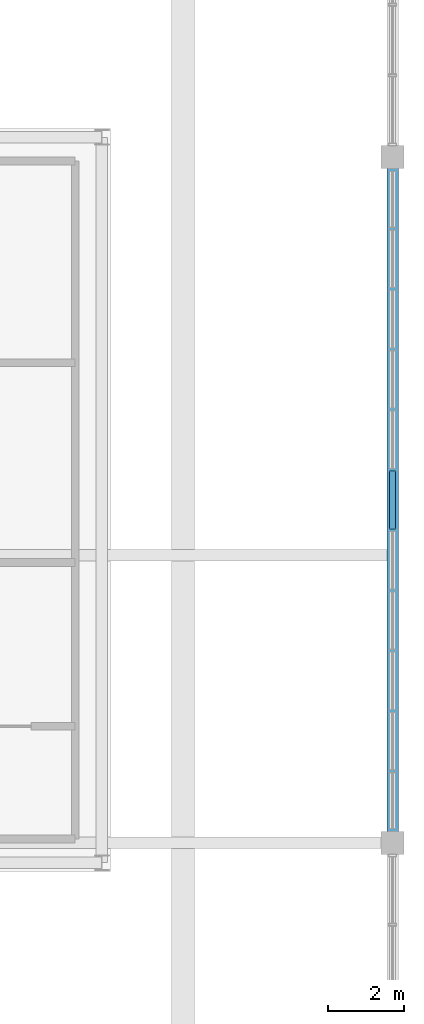
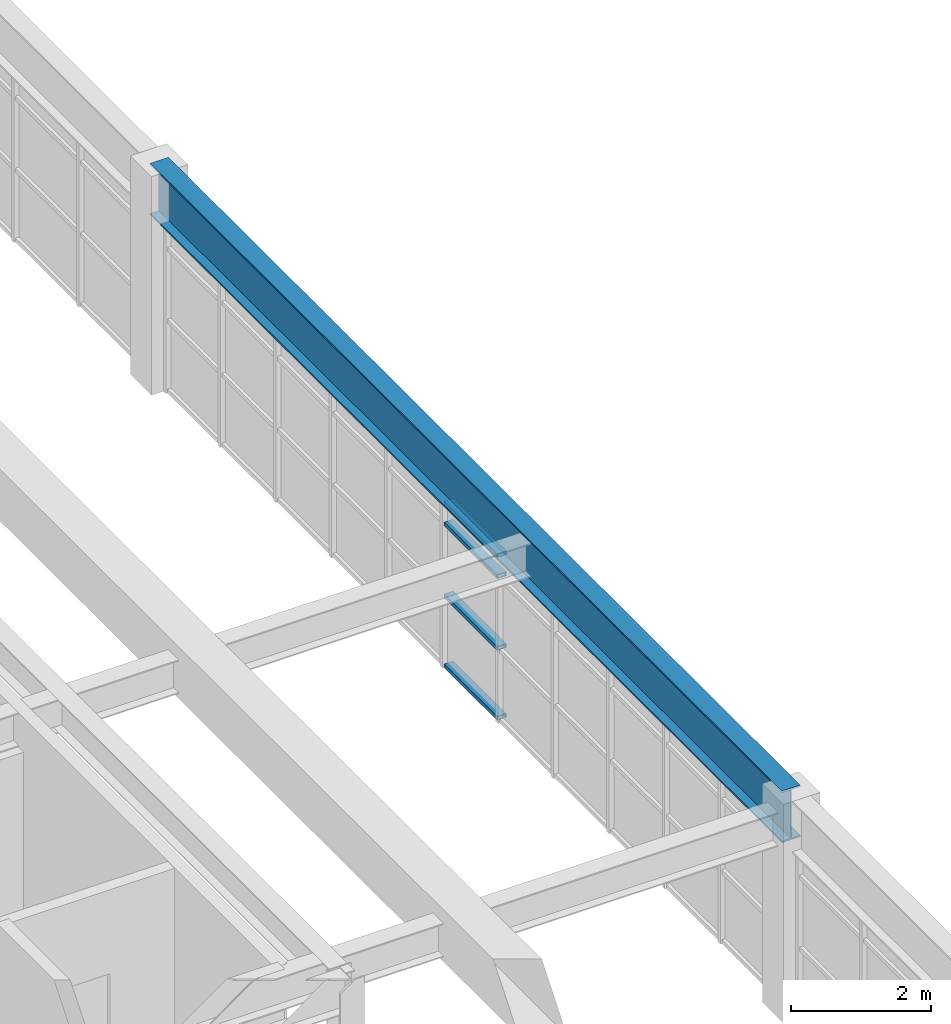
# One storey, part 16 of 28: 4 members, 1 beam, 1 element without a shape of its own.
"""IFC4 building model written with IfcOpenShell, lengths in metres."""

import ifcopenshell
import ifcopenshell.guid

model = None  # the IFC model being written
_history = None  # IfcOwnerHistory: only IFC2X3 demands one
_inside = {}  # id of a spatial element -> (the spatial element, [elements in it])
_under = {}  # id of a project, library or spatial element -> (it, [spatial elements below it])
_declared = {}  # id of a project -> (the project, [libraries it declares])
_typed = {}  # id of a type object -> (the type object, [elements of that type])
_made_of = {}  # id of a material, layer set ... -> (it, [elements and type objects made of it])


def new_model(schema):
    """Start an empty IFC model of exactly this schema.

    Asked for "IFC4X3", IfcOpenShell would pick the latest addendum, in which some entities
    have other attributes; the version numbers below select the first issue.
    IFC2X3 requires an IfcOwnerHistory on every rooted entity: one is made here for all.
    """
    global model, _history
    if schema == "IFC4X3":
        model = ifcopenshell.file(schema_version=(4, 3, 0, 0))
    else:
        model = ifcopenshell.file(schema=schema)
    _inside.clear()
    _under.clear()
    _declared.clear()
    _typed.clear()
    _made_of.clear()
    _history = None
    if model.schema == "IFC2X3":
        org = make("IfcOrganization", Name="unknown")
        user = make(
            "IfcPersonAndOrganization",
            ThePerson=make("IfcPerson", FamilyName="unknown"),
            TheOrganization=org,
        )
        app = make(
            "IfcApplication",
            ApplicationDeveloper=org,
            Version="unknown",
            ApplicationFullName="unknown",
            ApplicationIdentifier="unknown",
        )
        _history = make(
            "IfcOwnerHistory",
            OwningUser=user,
            OwningApplication=app,
            ChangeAction="ADDED",
            CreationDate=0,
        )
    return model


def make(cls, **values):
    """One entity of the class cls with the attributes given. An attribute that is None is left unset."""
    return model.create_entity(
        cls, **{name: value for name, value in values.items() if value is not None}
    )


def rooted(cls, **values):
    """An entity with a GlobalId (a new one), such as an element, a storey or a relation."""
    return make(cls, GlobalId=ifcopenshell.guid.new(), OwnerHistory=_history, **values)


def si_unit(unit_type, name, prefix=None):
    """IfcSIUnit, for example si_unit("LENGTHUNIT", "METRE", prefix="MILLI")."""
    return make("IfcSIUnit", UnitType=unit_type, Prefix=prefix, Name=name)


def assignment(units):
    """IfcUnitAssignment: the units of a project."""
    return None if units is None else make("IfcUnitAssignment", Units=units)


def point(xyz):
    """IfcCartesianPoint."""
    return None if xyz is None else make("IfcCartesianPoint", Coordinates=xyz)


def direction(xyz):
    """IfcDirection."""
    return None if xyz is None else make("IfcDirection", DirectionRatios=xyz)


def frame(location, z_axis=None, x_axis=None):
    """IfcAxis2Placement3D, a coordinate frame: its origin and axes. An axis left out is left unset."""
    return make(
        "IfcAxis2Placement3D",
        Location=point(location),
        Axis=direction(z_axis),
        RefDirection=direction(x_axis),
    )


def frame_2d(location, x_axis=None):
    """IfcAxis2Placement2D, a coordinate frame in the plane: its origin and x axis."""
    return make(
        "IfcAxis2Placement2D", Location=point(location), RefDirection=direction(x_axis)
    )


def origin():
    """The frame at (0, 0, 0) with its axes left unset."""
    return frame((0.0, 0.0, 0.0))


def origin_2d():
    """The frame at (0, 0) in the plane with its x axis left unset."""
    return frame_2d((0.0, 0.0))


def place(relative_to, where):
    """IfcLocalPlacement: puts the frame where relative to a parent placement (None: the world)."""
    return make(
        "IfcLocalPlacement", PlacementRelTo=relative_to, RelativePlacement=where
    )


def context(
    kind, dimensions, precision=None, world=None, true_north=None, identifier=None
):
    """IfcGeometricRepresentationContext, for example the 3D "Model" context."""
    return make(
        "IfcGeometricRepresentationContext",
        ContextIdentifier=identifier,
        ContextType=kind,
        CoordinateSpaceDimension=dimensions,
        Precision=precision,
        WorldCoordinateSystem=world,
        TrueNorth=true_north,
    )


def subcontext(parent, identifier, kind, view, scale=None):
    """IfcGeometricRepresentationSubContext, for example "Body" below "Model"."""
    return make(
        "IfcGeometricRepresentationSubContext",
        ContextIdentifier=identifier,
        ContextType=kind,
        ParentContext=parent,
        TargetScale=scale,
        TargetView=view,
    )


def project(units=None, contexts=None):
    """IfcProject with its units and contexts."""
    return rooted(
        "IfcProject",
        Name="project",
        RepresentationContexts=contexts,
        UnitsInContext=assignment(units),
    )


def spatial(cls, under=None, at=None, **own):
    """A site, building, storey or space (cls), placed at a placement, below another one or the project."""
    s = rooted(cls, ObjectPlacement=at, **own)
    if under is not None:
        _under.setdefault(under.id(), (under, []))[1].append(s)
    return s


def profile(cls, at=None, kind="AREA", **sizes):
    """A parametric profile (cls). Its sizes go by their IFC names, for example OverallWidth=200.0."""
    return make(cls, ProfileType=kind, Position=at, **sizes)


def hollow_rectangle(**sizes):
    """IfcRectangleHollowProfileDef."""
    return profile("IfcRectangleHollowProfileDef", **sizes)


def i_section(**sizes):
    """IfcIShapeProfileDef."""
    return profile("IfcIShapeProfileDef", **sizes)


def extrude(swept, where, along, depth):
    """IfcExtrudedAreaSolid: the profile swept, set in the frame where, extruded along a direction by depth."""
    return make(
        "IfcExtrudedAreaSolid",
        SweptArea=swept,
        Position=where,
        ExtrudedDirection=direction(along),
        Depth=depth,
    )


def shape(context_of_items, identifier, shape_type, items):
    """IfcShapeRepresentation: the items that make up one representation, for example the "Body"."""
    return make(
        "IfcShapeRepresentation",
        ContextOfItems=context_of_items,
        RepresentationIdentifier=identifier,
        RepresentationType=shape_type,
        Items=items,
    )


def source(mapping_origin, context_of_items, identifier, shape_type, items):
    """IfcRepresentationMap: a shape defined once, which mapped items show again and again."""
    return make(
        "IfcRepresentationMap",
        MappingOrigin=mapping_origin,
        MappedRepresentation=shape(context_of_items, identifier, shape_type, items),
    )


def transform(
    local_origin,
    x_axis=None,
    y_axis=None,
    z_axis=None,
    scale=None,
    scale2=None,
    scale3=None,
    uniform=True,
):
    """IfcCartesianTransformationOperator3D, or its non-uniform kind. x_axis, y_axis, z_axis: its Axis1, 2, 3."""
    if uniform:
        return make(
            "IfcCartesianTransformationOperator3D",
            Axis1=direction(x_axis),
            Axis2=direction(y_axis),
            LocalOrigin=point(local_origin),
            Scale=scale,
            Axis3=direction(z_axis),
        )
    return make(
        "IfcCartesianTransformationOperator3DnonUniform",
        Axis1=direction(x_axis),
        Axis2=direction(y_axis),
        LocalOrigin=point(local_origin),
        Scale=scale,
        Axis3=direction(z_axis),
        Scale2=scale2,
        Scale3=scale3,
    )


def mapped(mapping_source, mapping_target):
    """IfcMappedItem: shows the shape of a source again, moved by a transform."""
    return make(
        "IfcMappedItem", MappingSource=mapping_source, MappingTarget=mapping_target
    )


def material(Name=None, Category=None):
    """IfcMaterial."""
    return make("IfcMaterial", Name=Name, Category=Category)


def layer(
    of_material, thickness, ventilated=None, Name=None, Category=None, Priority=None
):
    """IfcMaterialLayer: one layer of a wall or slab, of a material (None: an air gap)."""
    return make(
        "IfcMaterialLayer",
        Material=of_material,
        LayerThickness=thickness,
        IsVentilated=ventilated,
        Name=Name,
        Category=Category,
        Priority=Priority,
    )


def layer_set(layers, Name=None):
    """IfcMaterialLayerSet."""
    return make("IfcMaterialLayerSet", MaterialLayers=layers, LayerSetName=Name)


def material_profile(
    of_material, cross_section, Name=None, Category=None, Priority=None
):
    """IfcMaterialProfile: a cross section and its material."""
    return make(
        "IfcMaterialProfile",
        Name=Name,
        Material=of_material,
        Profile=cross_section,
        Priority=Priority,
        Category=Category,
    )


def profile_set(profiles, Name=None, composite=None):
    """IfcMaterialProfileSet."""
    return make(
        "IfcMaterialProfileSet",
        Name=Name,
        MaterialProfiles=profiles,
        CompositeProfile=composite,
    )


def made_of(thing, what):
    """Note that an element or type object is made of a material, layer set ...; save() writes the relation."""
    if what is not None:
        _made_of.setdefault(what.id(), (what, []))[1].append(thing)
    return thing


def type_object(cls, material=None, **own):
    """A type object (cls), such as IfcWallType, which elements share."""
    return made_of(rooted(cls, **own), material)


def element(
    cls,
    number,
    at=None,
    inside=None,
    cuts=None,
    type_object=None,
    material=None,
    context=None,
    identifier="Body",
    shape_type=None,
    held_by="IfcProductDefinitionShape",
    body=None,
    shapes=None,
    **own,
):
    """One element of the class cls, such as IfcWall. Its Tag is "e" and its number.

    at: its placement. inside: the storey or other place that contains it. cuts: it is an
    opening in that element (IfcRelVoidsElement). A single representation is given by context,
    identifier, shape_type and body (its items); several are given by shapes. held_by: the class
    of the entity that holds the representations. save() writes the other relations.
    """
    e = rooted(cls, Tag="e%d" % number, ObjectPlacement=at, **own)
    if body is not None:
        shapes = [shape(context, identifier, shape_type, body)]
    if shapes is not None:
        e.Representation = make(held_by, Representations=shapes)
    if inside is not None:
        _inside.setdefault(inside.id(), (inside, []))[1].append(e)
    if cuts is not None:
        rooted(
            "IfcRelVoidsElement", RelatingBuildingElement=cuts, RelatedOpeningElement=e
        )
    if type_object is not None:
        _typed.setdefault(type_object.id(), (type_object, []))[1].append(e)
    return made_of(e, material)


def aggregate(whole, parts):
    """IfcRelAggregates: a whole, such as a stair, and the parts it consists of."""
    return rooted("IfcRelAggregates", RelatingObject=whole, RelatedObjects=parts)


def save(model, path):
    """Write the relations noted so far, then the file.

    IfcRelAggregates (storeys below a building ...), IfcRelContainedInSpatialStructure (elements
    in a storey), IfcRelDefinesByType, IfcRelAssociatesMaterial and IfcRelDeclares: one each for
    every whole, place, type object, material and project.
    """
    for whole, parts in _under.values():
        aggregate(whole, parts)
    for where, things in _inside.values():
        rooted(
            "IfcRelContainedInSpatialStructure",
            RelatedElements=things,
            RelatingStructure=where,
        )
    for kind, things in _typed.values():
        rooted("IfcRelDefinesByType", RelatedObjects=things, RelatingType=kind)
    for what, things in _made_of.values():
        rooted("IfcRelAssociatesMaterial", RelatedObjects=things, RelatingMaterial=what)
    for by, libraries in _declared.values():
        rooted("IfcRelDeclares", RelatingContext=by, RelatedDefinitions=libraries)
    model.write(path)


model = new_model("IFC4")

# Units and contexts
model_context = context("Model", 3, precision=1e-05, world=origin(), true_north=direction((0.0, 1.0)))
body_context = subcontext(model_context, "Body", "Model", "MODEL_VIEW")
ifc_project = project(units=[si_unit("LENGTHUNIT", "METRE"), si_unit("AREAUNIT", "SQUARE_METRE"), si_unit("VOLUMEUNIT", "CUBIC_METRE"), si_unit("PLANEANGLEUNIT", "RADIAN"), si_unit("MASSUNIT", "GRAM", prefix="KILO")], contexts=[model_context])

# Site, building, storey
site_placement = place(None, origin())
site = spatial("IfcSite", under=ifc_project, at=site_placement, CompositionType="ELEMENT")
building_placement = place(site_placement, origin())
building = spatial("IfcBuilding", under=site, at=building_placement, Name="Saelheon Loggia Tower", CompositionType="ELEMENT")
storey_placement = place(building_placement, frame((0.0, 0.0, 271.199951171875)))
storey = spatial("IfcBuildingStorey", under=building, at=storey_placement, Name="CR6", CompositionType="ELEMENT", Elevation=271.199951171875)

# Beam
ifc_material_1 = material(Name="Steel SM355", Category="steel")
ifc_material_profile_1 = material_profile(ifc_material_1, i_section(OverallWidth=0.300048828125, OverallDepth=0.89990234375, WebThickness=0.01611328125, FlangeThickness=0.028076171875, at=origin_2d()), Name="H-900x300x16x28")
ifc_profile_set_1 = profile_set([ifc_material_profile_1], Name="Steel SM355")
beam_type = type_object("IfcBeamType", Name="Beam_PoolGirder_Steel_H900", PredefinedType="BEAM", material=ifc_profile_set_1)
shared_shape_1 = source(origin(), body_context, "Body", "SweptSolid", [
    extrude(i_section(OverallWidth=0.300048828125, OverallDepth=0.89990234375, WebThickness=0.01611328125, FlangeThickness=0.028076171875, at=origin_2d()), origin(), (0.0, 0.0, 1.0), 18.0),
])
beam_placement = place(storey_placement, frame((52.64990234375, 18.0, 3.35009765625), z_axis=(0.0, 1.0, 0.0), x_axis=(-1.0, 0.0, 0.0)))
element("IfcBeam", 1, at=beam_placement, inside=storey, type_object=beam_type, Name="CR6 CROWN FRAME Sill Girder 06", PredefinedType="BEAM", context=body_context, shape_type="MappedRepresentation", body=[
    mapped(shared_shape_1, transform((0.0, 0.0, 0.0), scale=1.0)),
])

# Curtain wall, members
ifc_material_2 = material(Name="Bronze-Anodised Aluminium and Fritted Ceramic Screen", Category="aluminium")
ifc_layer = layer(ifc_material_2, 0.219970703125)
ifc_layer_set = layer_set([ifc_layer], Name="Bronze-Anodised Aluminium and Fritted Ceramic Screen")
curtain_wall_type = type_object("IfcCurtainWallType", Name="CW_CrownScreen", PredefinedType="NOTDEFINED", material=ifc_layer_set)
curtain_wall_placement = place(storey_placement, origin())
curtain_wall = element("IfcCurtainWall", 2, at=curtain_wall_placement, inside=storey, type_object=curtain_wall_type, Name="CR6 Crown Screen Curtain Wall 3-2", PredefinedType="NOTDEFINED")
ifc_material_3 = material(Name="Bronze-Anodised Aluminium 6063-T6", Category="aluminium")
ifc_material_profile_2 = material_profile(ifc_material_3, hollow_rectangle(XDim=0.070068359375, YDim=0.14990234375, WallThickness=0.0048828125, at=origin_2d()), Name="RHS-150x70x5")
ifc_profile_set_2 = profile_set([ifc_material_profile_2], Name="Bronze-Anodised Aluminium 6063-T6")
member_type = type_object("IfcMemberType", Name="CW_CrownScreen_Transom", PredefinedType="USERDEFINED", material=ifc_profile_set_2)
shared_shape_2 = source(origin(), body_context, "Body", "SweptSolid", [
    extrude(hollow_rectangle(XDim=0.070068359375, YDim=0.14990234375, WallThickness=0.0048828125, at=origin_2d()), origin(), (0.0, 0.0, 1.0), 1.51171875),
])
member_1_placement = place(storey_placement, frame((52.64990234375, 26.244140625, 0.03515625), z_axis=(0.0, 1.0, 0.0), x_axis=(0.0, 0.0, 1.0)))
member_1 = element("IfcMember", 3, at=member_1_placement, type_object=member_type, Name="CW6 transom 6.1", ObjectType="TRANSOM", PredefinedType="USERDEFINED", context=body_context, shape_type="MappedRepresentation", body=[
    mapped(shared_shape_2, transform((0.0, 0.0, 0.0), scale=1.0)),
])
member_2_placement = place(storey_placement, frame((52.64990234375, 26.244140625, 1.25), z_axis=(0.0, 1.0, 0.0), x_axis=(0.0, 0.0, 1.0)))
member_2 = element("IfcMember", 4, at=member_2_placement, type_object=member_type, Name="CW6 transom 6.2", ObjectType="TRANSOM", PredefinedType="USERDEFINED", context=body_context, shape_type="MappedRepresentation", body=[
    mapped(shared_shape_2, transform((0.0, 0.0, 0.0), scale=1.0)),
])
member_3_placement = place(storey_placement, frame((52.64990234375, 26.244140625, 2.5), z_axis=(0.0, 1.0, 0.0), x_axis=(0.0, 0.0, 1.0)))
member_3 = element("IfcMember", 5, at=member_3_placement, type_object=member_type, Name="CW6 transom 6.3", ObjectType="TRANSOM", PredefinedType="USERDEFINED", context=body_context, shape_type="MappedRepresentation", body=[
    mapped(shared_shape_2, transform((0.0, 0.0, 0.0), scale=1.0)),
])
member_4_placement = place(storey_placement, frame((52.64990234375, 26.244140625, 2.864990234375), z_axis=(0.0, 1.0, 0.0), x_axis=(0.0, 0.0, 1.0)))
member_4 = element("IfcMember", 6, at=member_4_placement, type_object=member_type, Name="CW6 transom 6.4", ObjectType="TRANSOM", PredefinedType="USERDEFINED", context=body_context, shape_type="MappedRepresentation", body=[
    mapped(shared_shape_2, transform((0.0, 0.0, 0.0), scale=1.0)),
])
aggregate(curtain_wall, [member_1, member_2, member_3, member_4])

save(model, "model.ifc")
